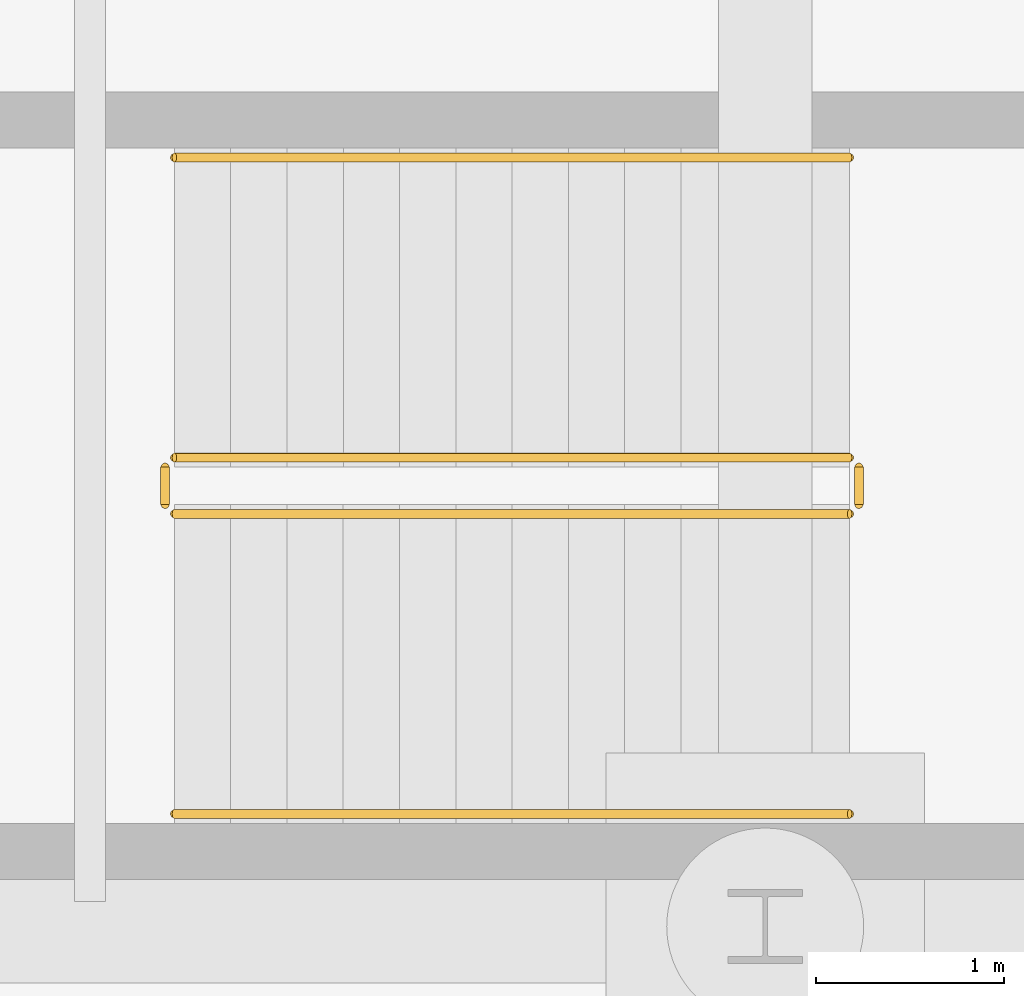
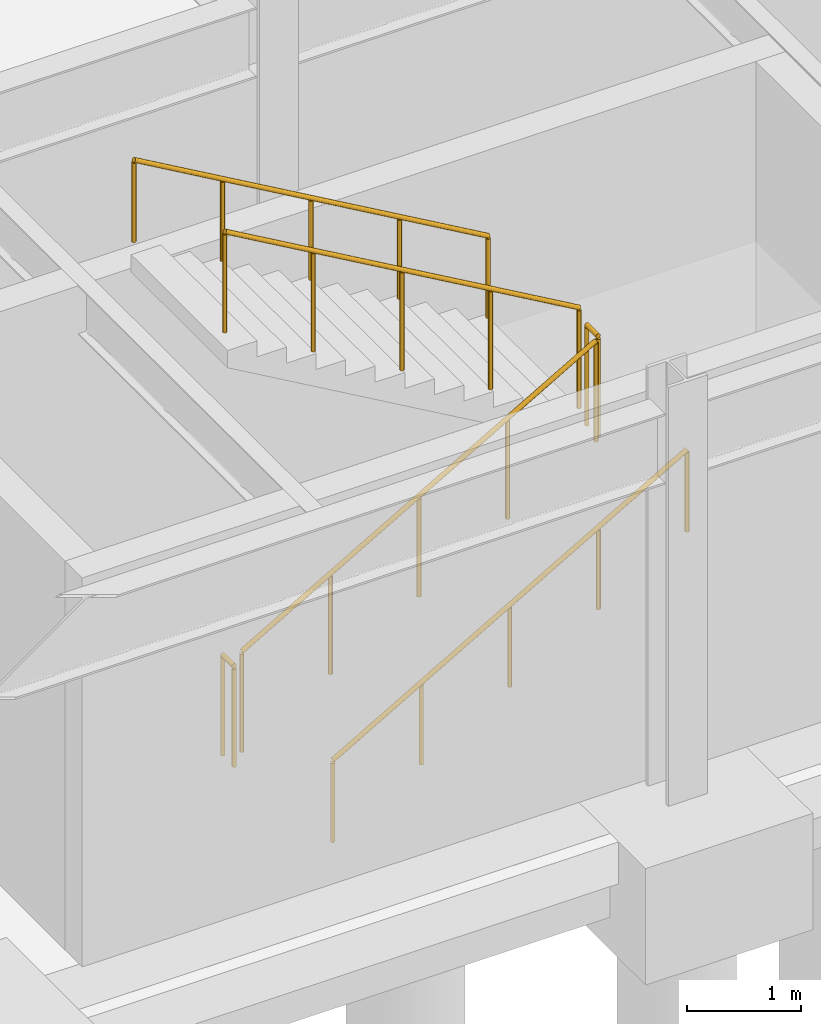
# One storey, part 51 of 54: 6 railings.
"""IFC4 building model written with IfcOpenShell, lengths in metres."""

from ifc_helpers import new_model, si_unit, direction, frame, origin, origin_2d, place, context, subcontext, project, spatial, circle, extrude, material, layer, layer_set, type_object, element, save


model = new_model("IFC4")

# Units and contexts
model_context = context("Model", 3, precision=1e-05, world=origin(), true_north=direction((0.0, 1.0)))
body_context = subcontext(model_context, "Body", "Model", "MODEL_VIEW")
ifc_project = project(units=[si_unit("LENGTHUNIT", "METRE"), si_unit("AREAUNIT", "SQUARE_METRE"), si_unit("VOLUMEUNIT", "CUBIC_METRE"), si_unit("PLANEANGLEUNIT", "RADIAN"), si_unit("MASSUNIT", "GRAM", prefix="KILO")], contexts=[model_context])

# Site, building, storey
site_placement = place(None, origin())
site = spatial("IfcSite", under=ifc_project, at=site_placement, CompositionType="ELEMENT")
building_placement = place(site_placement, origin())
building = spatial("IfcBuilding", under=site, at=building_placement, Name="Vaelcorin Mobility Hub", CompositionType="ELEMENT")
storey_placement = place(building_placement, frame((0.0, 0.0, -4.5)))
storey = spatial("IfcBuildingStorey", under=building, at=storey_placement, Name="B1", CompositionType="ELEMENT", Elevation=-4.5)

# Railings
ifc_material = material(Name="Brushed stainless steel 316L", Category="steel")
ifc_layer_1 = layer(ifc_material, 0.048095703125)
ifc_layer_set_1 = layer_set([ifc_layer_1], Name="Brushed stainless steel 316L")
railing_type_1 = type_object("IfcRailingType", Name="RL-STAIR-GRD", PredefinedType="GUARDRAIL", material=ifc_layer_set_1)
railing_1_placement = place(storey_placement, frame((179.25, 8.199951171875, 0.173095703125)))
element("IfcRailing", 1, at=railing_1_placement, inside=storey, type_object=railing_type_1, Name="B1 ST5 stair guard 1", PredefinedType="GUARDRAIL", context=body_context, shape_type="SweptSolid", body=[
    extrude(circle(Radius=0.02392578125, at=origin_2d()), frame((0.0, 0.0, 1.076171875), z_axis=(0.866193409371, 0.0, 0.499708892819), x_axis=(0.0, 1.0, 0.0)), (0.0, 0.0, 1.0), 4.15625),
    extrude(circle(Radius=0.02099609375, at=origin_2d()), origin(), (0.0, 0.0, 1.0), 1.052001953125),
    extrude(circle(Radius=0.02099609375, at=origin_2d()), frame((0.89990234375, 0.0, 0.519287109375)), (0.0, 0.0, 1.0), 1.052001953125),
    extrude(circle(Radius=0.02099609375, at=origin_2d()), frame((1.800048828125, 0.0, 1.03857421875)), (0.0, 0.0, 1.0), 1.052001953125),
    extrude(circle(Radius=0.02099609375, at=origin_2d()), frame((2.7001953125, 0.0, 1.5576171875)), (0.0, 0.0, 1.0), 1.052001953125),
    extrude(circle(Radius=0.02099609375, at=origin_2d()), frame((3.60009765625, 0.0, 2.076904296875)), (0.0, 0.0, 1.0), 1.052001953125),
])
railing_2_placement = place(storey_placement, frame((182.89990234375, 8.25, 2.25)))
element("IfcRailing", 2, at=railing_2_placement, inside=storey, type_object=railing_type_1, Name="B1 ST5 stair guard 2", PredefinedType="GUARDRAIL", context=body_context, shape_type="SweptSolid", body=[
    extrude(circle(Radius=0.02392578125, at=origin_2d()), frame((0.0, 0.0, 1.076171875), z_axis=(0.0, 1.0, 0.0), x_axis=(-1.0, 0.0, 0.0)), (0.0, 0.0, 1.0), 0.199951171875),
    extrude(circle(Radius=0.02099609375, at=origin_2d()), origin(), (0.0, 0.0, 1.0), 1.052001953125),
    extrude(circle(Radius=0.02099609375, at=origin_2d()), frame((0.0, 0.199951171875, 0.0)), (0.0, 0.0, 1.0), 1.052001953125),
])
railing_3_placement = place(storey_placement, frame((182.85009765625, 8.5, 2.423095703125)))
element("IfcRailing", 3, at=railing_3_placement, inside=storey, type_object=railing_type_1, Name="B1 ST5 stair guard 3", PredefinedType="GUARDRAIL", context=body_context, shape_type="SweptSolid", body=[
    extrude(circle(Radius=0.02392578125, at=origin_2d()), frame((0.0, 0.0, 1.076171875), z_axis=(-0.866193409371, 0.0, 0.499708892819), x_axis=(0.0, -1.0, 0.0)), (0.0, 0.0, 1.0), 4.15625),
    extrude(circle(Radius=0.02099609375, at=origin_2d()), origin(), (0.0, 0.0, 1.0), 1.052001953125),
    extrude(circle(Radius=0.02099609375, at=origin_2d()), frame((-0.89990234375, 0.0, 0.519287109375)), (0.0, 0.0, 1.0), 1.052001953125),
    extrude(circle(Radius=0.02099609375, at=origin_2d()), frame((-1.800048828125, 0.0, 1.03857421875)), (0.0, 0.0, 1.0), 1.052001953125),
    extrude(circle(Radius=0.02099609375, at=origin_2d()), frame((-2.7001953125, 0.0, 1.5576171875)), (0.0, 0.0, 1.0), 1.052001953125),
    extrude(circle(Radius=0.02099609375, at=origin_2d()), frame((-3.60009765625, 0.0, 2.076904296875)), (0.0, 0.0, 1.0), 1.052001953125),
])
railing_4_placement = place(storey_placement, frame((179.199951171875, 8.25, 0.0)))
element("IfcRailing", 4, at=railing_4_placement, inside=storey, type_object=railing_type_1, Name="B1 ST5 stair guard 4", PredefinedType="GUARDRAIL", context=body_context, shape_type="SweptSolid", body=[
    extrude(circle(Radius=0.02392578125, at=origin_2d()), frame((0.0, 0.0, 1.076171875), z_axis=(0.0, 1.0, 0.0), x_axis=(-1.0, 0.0, 0.0)), (0.0, 0.0, 1.0), 0.199951171875),
    extrude(circle(Radius=0.02099609375, at=origin_2d()), origin(), (0.0, 0.0, 1.0), 1.052001953125),
    extrude(circle(Radius=0.02099609375, at=origin_2d()), frame((0.0, 0.199951171875, 0.0)), (0.0, 0.0, 1.0), 1.052001953125),
])
ifc_layer_2 = layer(ifc_material, 0.048095703125)
ifc_layer_set_2 = layer_set([ifc_layer_2], Name="Brushed stainless steel 316L")
railing_type_2 = type_object("IfcRailingType", Name="RL-STAIR-HR", PredefinedType="HANDRAIL", material=ifc_layer_set_2)
railing_5_placement = place(storey_placement, frame((179.25, 6.60009765625, 0.173095703125)))
element("IfcRailing", 5, at=railing_5_placement, inside=storey, type_object=railing_type_2, Name="B1 ST5 stair handrail 1", PredefinedType="HANDRAIL", context=body_context, shape_type="SweptSolid", body=[
    extrude(circle(Radius=0.02392578125, at=origin_2d()), frame((0.0, 0.0, 0.8759765625), z_axis=(0.866193409371, 0.0, 0.499708892819), x_axis=(0.0, 1.0, 0.0)), (0.0, 0.0, 1.0), 4.15625),
    extrude(circle(Radius=0.02099609375, at=origin_2d()), origin(), (0.0, 0.0, 1.0), 0.851806640625),
    extrude(circle(Radius=0.02099609375, at=origin_2d()), frame((0.89990234375, 0.0, 0.519287109375)), (0.0, 0.0, 1.0), 0.851806640625),
    extrude(circle(Radius=0.02099609375, at=origin_2d()), frame((1.800048828125, 0.0, 1.03857421875)), (0.0, 0.0, 1.0), 0.851806640625),
    extrude(circle(Radius=0.02099609375, at=origin_2d()), frame((2.7001953125, 0.0, 1.5576171875)), (0.0, 0.0, 1.0), 0.851806640625),
    extrude(circle(Radius=0.02099609375, at=origin_2d()), frame((3.60009765625, 0.0, 2.076904296875)), (0.0, 0.0, 1.0), 0.851806640625),
])
railing_6_placement = place(storey_placement, frame((182.85009765625, 10.10009765625, 2.423095703125)))
element("IfcRailing", 6, at=railing_6_placement, inside=storey, type_object=railing_type_2, Name="B1 ST5 stair handrail 2", PredefinedType="HANDRAIL", context=body_context, shape_type="SweptSolid", body=[
    extrude(circle(Radius=0.02392578125, at=origin_2d()), frame((0.0, 0.0, 0.8759765625), z_axis=(-0.866193409371, 0.0, 0.499708892819), x_axis=(0.0, -1.0, 0.0)), (0.0, 0.0, 1.0), 4.15625),
    extrude(circle(Radius=0.02099609375, at=origin_2d()), origin(), (0.0, 0.0, 1.0), 0.851806640625),
    extrude(circle(Radius=0.02099609375, at=origin_2d()), frame((-0.89990234375, 0.0, 0.519287109375)), (0.0, 0.0, 1.0), 0.851806640625),
    extrude(circle(Radius=0.02099609375, at=origin_2d()), frame((-1.800048828125, 0.0, 1.03857421875)), (0.0, 0.0, 1.0), 0.851806640625),
    extrude(circle(Radius=0.02099609375, at=origin_2d()), frame((-2.7001953125, 0.0, 1.5576171875)), (0.0, 0.0, 1.0), 0.851806640625),
    extrude(circle(Radius=0.02099609375, at=origin_2d()), frame((-3.60009765625, 0.0, 2.076904296875)), (0.0, 0.0, 1.0), 0.851806640625),
])

save(model, "model.ifc")
